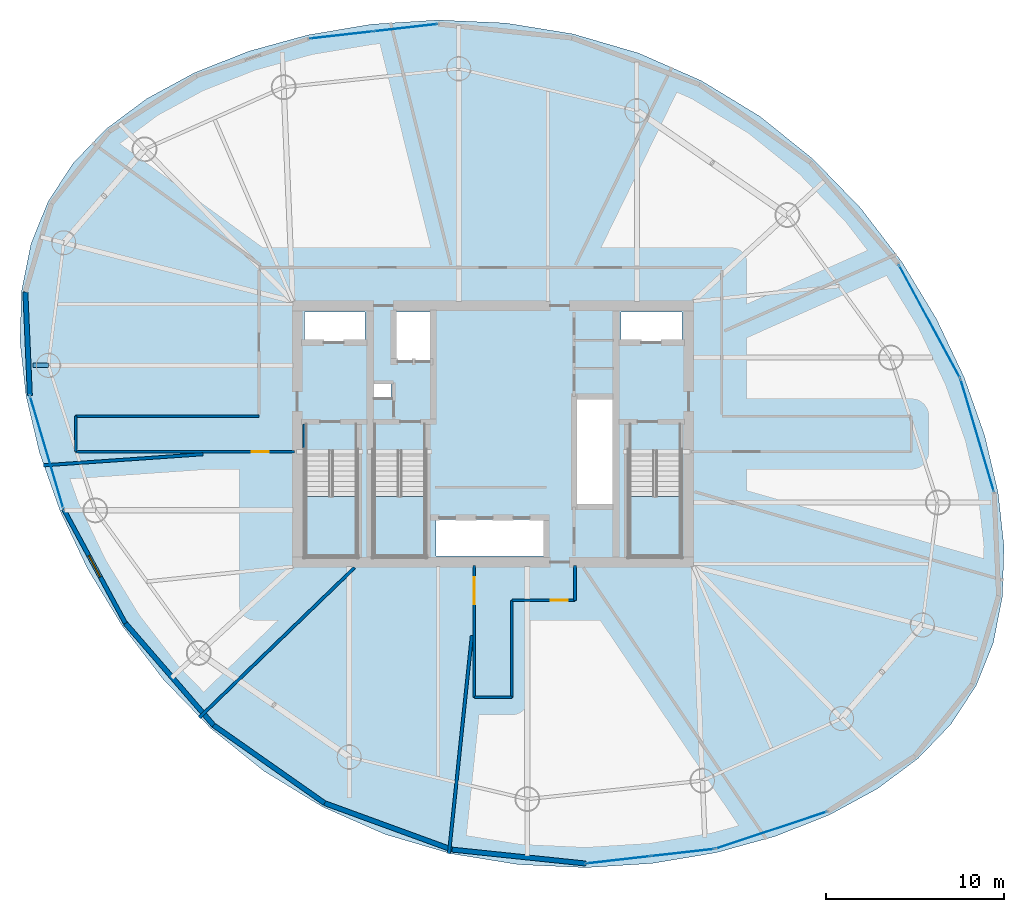
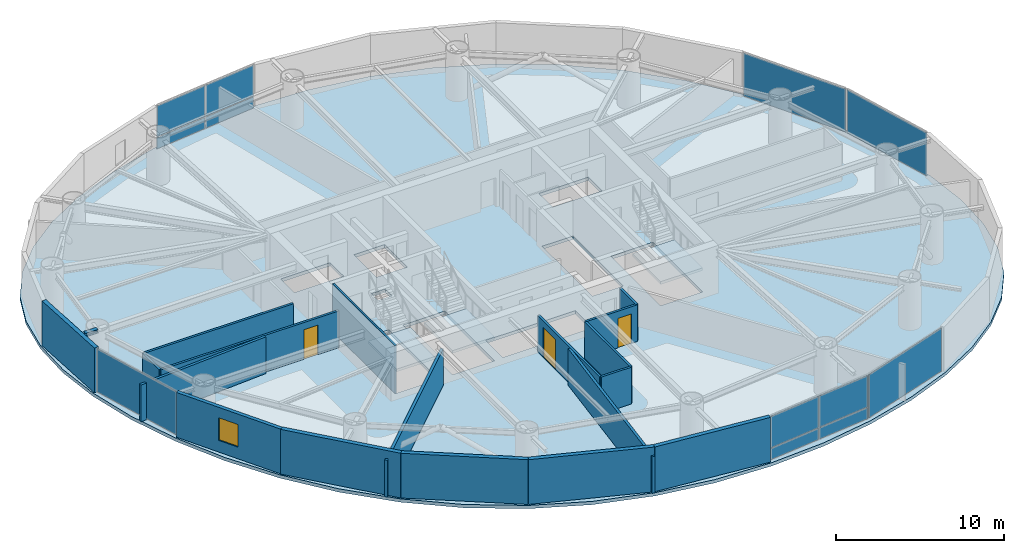
# One storey, part 16 of 22: 18 walls, 12 plates, 4 slabs, 3 doors, 1 beam, 1 window, 4 openings, 9 elements without a shape of their own.
"""IFC4 building model written with IfcOpenShell, lengths in metres."""

from ifc_helpers import new_model, si_unit, direction, frame, frame_2d, origin, origin_2d, place, context, subcontext, project, spatial, polyline, rectangle, i_section, outline, extrude, material, layer, layer_set, material_profile, profile_set, type_object, element, fill, aggregate, save


model = new_model("IFC4")

# Units and contexts
model_context = context("Model", 3, precision=1e-05, world=origin(), true_north=direction((0.0, 1.0)))
body_context = subcontext(model_context, "Body", "Model", "MODEL_VIEW")
ifc_project = project(units=[si_unit("LENGTHUNIT", "METRE"), si_unit("AREAUNIT", "SQUARE_METRE"), si_unit("VOLUMEUNIT", "CUBIC_METRE"), si_unit("PLANEANGLEUNIT", "RADIAN"), si_unit("MASSUNIT", "GRAM", prefix="KILO")], contexts=[model_context])

# Site, building, storey
site_placement = place(None, origin())
site = spatial("IfcSite", under=ifc_project, at=site_placement, CompositionType="ELEMENT")
building_placement = place(site_placement, origin())
building = spatial("IfcBuilding", under=site, at=building_placement, Name="Bramvorn Convention Spire", CompositionType="ELEMENT")
storey_placement = place(building_placement, frame((0.0, 0.0, 141.300048828125)))
storey = spatial("IfcBuildingStorey", under=building, at=storey_placement, Name="L35", CompositionType="ELEMENT", Elevation=141.300048828125)

# Beam
ifc_material_1 = material(Name="Steel CSA G40.21 Grade 350 (350W)", Category="steel")
ifc_material_profile = material_profile(ifc_material_1, i_section(OverallWidth=0.25390625, OverallDepth=0.2529296875, WebThickness=0.008544921875, FlangeThickness=0.01416015625, FilletRadius=0.011962890625, at=origin_2d()))
ifc_profile_set = profile_set([ifc_material_profile], Name="Steel CSA G40.21 Grade 350 (350W) - W250X73")
beam_type = type_object("IfcBeamType", Name="BM-W250X73", PredefinedType="BEAM", material=ifc_profile_set)
beam_placement = place(storey_placement, frame((13.016357421875, 29.851806640625, 3.133544921875), z_axis=(-1.0, 0.0, 0.0), x_axis=(0.0, -1.0, 0.0)))
element("IfcBeam", 1, at=beam_placement, inside=storey, type_object=beam_type, Name="L35 slab-edge cantilever tip beam MC10", PredefinedType="BEAM", context=body_context, shape_type="SweptSolid", body=[
    extrude(i_section(OverallWidth=0.25390625, OverallDepth=0.2529296875, WebThickness=0.008544921875, FlangeThickness=0.01416015625, FilletRadius=0.011962890625, at=origin_2d()), origin(), (0.0, 0.0, 1.0), 0.869384765625),
])

# Curtain wall, plate
ifc_material_2 = material(Name="Anodised Bronze Unitised Curtain Wall", Category="aluminium")
ifc_layer_1 = layer(ifc_material_2, 0.179931640625)
ifc_layer_set_1 = layer_set([ifc_layer_1], Name="Anodised Bronze Unitised Curtain Wall - CW-HTL-FRIT")
curtain_wall_type = type_object("IfcCurtainWallType", Name="CW-HTL-FRIT", PredefinedType="USERDEFINED", material=ifc_layer_set_1)
curtain_wall_1_placement = place(storey_placement, origin())
curtain_wall_1 = element("IfcCurtainWall", 2, at=curtain_wall_1_placement, inside=storey, type_object=curtain_wall_type, Name="L35 fritted glass curtain wall 03", ObjectType="UNITISED CURTAIN WALL", PredefinedType="USERDEFINED")
ifc_material_3 = material(Name="Laminated Low-E Glass (Triple IGU Tapered Ceramic Frit 40%)", Category="glass")
ifc_layer_2 = layer(ifc_material_3, 0.0380859375)
ifc_layer_set_2 = layer_set([ifc_layer_2], Name="Laminated Low-E Glass (Triple IGU Tapered Ceramic Frit 40%) - PNL-IGU-2")
plate_type = type_object("IfcPlateType", Name="PNL-IGU-2", PredefinedType="CURTAIN_PANEL", material=ifc_layer_set_2)
plate_1_placement = place(storey_placement, frame((65.200439453125, 25.922607421875, 0.06005859375), z_axis=(0.0, 0.0, 1.0), x_axis=(0.284632328166, -0.958636760073, 0.0)))
plate_1 = element("IfcPlate", 3, at=plate_1_placement, type_object=plate_type, Name="CW2 panel 1.1", PredefinedType="CURTAIN_PANEL", context=body_context, shape_type="SweptSolid", body=[
    extrude(rectangle(XDim=6.545166015625, YDim=0.028076171875, at=origin_2d()), origin(), (0.0, 0.0, 1.0), 3.139892578125),
])
aggregate(curtain_wall_1, [plate_1])

curtain_wall_2_placement = place(storey_placement, origin())
curtain_wall_2 = element("IfcCurtainWall", 4, at=curtain_wall_2_placement, inside=storey, type_object=curtain_wall_type, Name="L35 fritted glass curtain wall 04", ObjectType="UNITISED CURTAIN WALL", PredefinedType="USERDEFINED")
plate_2_placement = place(storey_placement, frame((62.516357421875, 32.323486328125, 0.06005859375), z_axis=(0.0, 0.0, 1.0), x_axis=(0.476002583579, -0.87944388134, 0.0)))
plate_2 = element("IfcPlate", 5, at=plate_2_placement, type_object=plate_type, Name="CW2 panel 1.1", PredefinedType="CURTAIN_PANEL", context=body_context, shape_type="SweptSolid", body=[
    extrude(rectangle(XDim=7.171875, YDim=0.028076171875, at=origin_2d()), origin(), (0.0, 0.0, 1.0), 3.139892578125),
])
aggregate(curtain_wall_2, [plate_2])

# Curtain wall, plates
curtain_wall_3_placement = place(storey_placement, origin())
curtain_wall_3 = element("IfcCurtainWall", 6, at=curtain_wall_3_placement, inside=storey, type_object=curtain_wall_type, Name="L35 fritted glass curtain wall 09", ObjectType="UNITISED CURTAIN WALL", PredefinedType="USERDEFINED")
plate_3_placement = place(storey_placement, frame((29.49072265625, 48.411376953125, 0.059814453125), z_axis=(0.0, 0.0, 1.0), x_axis=(0.993621085008, 0.112770294972, 0.0)))
plate_3 = element("IfcPlate", 7, at=plate_3_placement, type_object=plate_type, Name="CW2 panel 1.1", PredefinedType="CURTAIN_PANEL", context=body_context, shape_type="SweptSolid", body=[
    extrude(rectangle(XDim=3.555908203125, YDim=0.028076171875, at=origin_2d()), origin(), (0.0, 0.0, 1.0), 0.81005859375),
])
plate_4_placement = place(storey_placement, frame((29.49072265625, 48.411376953125, 0.929931640625), z_axis=(0.0, 0.0, 1.0), x_axis=(0.993621085008, 0.112770294972, 0.0)))
plate_4 = element("IfcPlate", 8, at=plate_4_placement, type_object=plate_type, Name="CW2 panel 1.2", PredefinedType="CURTAIN_PANEL", context=body_context, shape_type="SweptSolid", body=[
    extrude(rectangle(XDim=3.555908203125, YDim=0.028076171875, at=origin_2d()), origin(), (0.0, 0.0, 1.0), 2.27001953125),
])
plate_5_placement = place(storey_placement, frame((33.08349609375, 48.819091796875, 0.059814453125), z_axis=(0.0, 0.0, 1.0), x_axis=(0.993621085008, 0.112770294972, 0.0)))
plate_5 = element("IfcPlate", 9, at=plate_5_placement, type_object=plate_type, Name="CW2 panel 2.1", PredefinedType="CURTAIN_PANEL", context=body_context, shape_type="SweptSolid", body=[
    extrude(rectangle(XDim=3.555908203125, YDim=0.028076171875, at=origin_2d()), origin(), (0.0, 0.0, 1.0), 0.81005859375),
])
plate_6_placement = place(storey_placement, frame((33.08349609375, 48.819091796875, 0.929931640625), z_axis=(0.0, 0.0, 1.0), x_axis=(0.993621085008, 0.112770294972, 0.0)))
plate_6 = element("IfcPlate", 10, at=plate_6_placement, type_object=plate_type, Name="CW2 panel 2.2", PredefinedType="CURTAIN_PANEL", context=body_context, shape_type="SweptSolid", body=[
    extrude(rectangle(XDim=3.555908203125, YDim=0.028076171875, at=origin_2d()), origin(), (0.0, 0.0, 1.0), 2.27001953125),
])
aggregate(curtain_wall_3, [plate_3, plate_4, plate_5, plate_6])

# Curtain wall, plate
curtain_wall_4_placement = place(storey_placement, origin())
curtain_wall_4 = element("IfcCurtainWall", 11, at=curtain_wall_4_placement, inside=storey, type_object=curtain_wall_type, Name="L35 fritted glass curtain wall 15", ObjectType="UNITISED CURTAIN WALL", PredefinedType="USERDEFINED")
plate_7_placement = place(storey_placement, frame((12.92724609375, 24.967529296875, 0.06005859375), z_axis=(0.0, 0.0, 1.0), x_axis=(-0.284632328166, 0.958636760073, 0.0)))
plate_7 = element("IfcPlate", 12, at=plate_7_placement, type_object=plate_type, Name="CW2 panel 1.1", PredefinedType="CURTAIN_PANEL", context=body_context, shape_type="SweptSolid", body=[
    extrude(rectangle(XDim=6.545166015625, YDim=0.028076171875, at=origin_2d()), origin(), (0.0, 0.0, 1.0), 3.139892578125),
])
aggregate(curtain_wall_4, [plate_7])

# Curtain wall, plates
curtain_wall_5_placement = place(storey_placement, origin())
curtain_wall_5 = element("IfcCurtainWall", 13, at=curtain_wall_5_placement, inside=storey, type_object=curtain_wall_type, Name="L35 fritted glass curtain wall 21", ObjectType="UNITISED CURTAIN WALL", PredefinedType="USERDEFINED")
plate_8_placement = place(storey_placement, frame((48.63720703125, 2.478759765625, 0.059814453125), z_axis=(0.0, 0.0, 1.0), x_axis=(-0.993619548249, -0.112783834557, 0.0)))
plate_8 = element("IfcPlate", 14, at=plate_8_placement, type_object=plate_type, Name="CW2 panel 1.1", PredefinedType="CURTAIN_PANEL", context=body_context, shape_type="SweptSolid", body=[
    extrude(rectangle(XDim=3.555908203125, YDim=0.028076171875, at=origin_2d()), origin(), (0.0, 0.0, 1.0), 0.81005859375),
])
plate_9_placement = place(storey_placement, frame((48.63720703125, 2.478759765625, 0.929931640625), z_axis=(0.0, 0.0, 1.0), x_axis=(-0.993619548249, -0.112783834557, 0.0)))
plate_9 = element("IfcPlate", 15, at=plate_9_placement, type_object=plate_type, Name="CW2 panel 1.2", PredefinedType="CURTAIN_PANEL", context=body_context, shape_type="SweptSolid", body=[
    extrude(rectangle(XDim=3.555908203125, YDim=0.028076171875, at=origin_2d()), origin(), (0.0, 0.0, 1.0), 2.27001953125),
])
plate_10_placement = place(storey_placement, frame((45.04443359375, 2.07080078125, 0.059814453125), z_axis=(0.0, 0.0, 1.0), x_axis=(-0.993619548249, -0.112783834557, 0.0)))
plate_10 = element("IfcPlate", 16, at=plate_10_placement, type_object=plate_type, Name="CW2 panel 2.1", PredefinedType="CURTAIN_PANEL", context=body_context, shape_type="SweptSolid", body=[
    extrude(rectangle(XDim=3.555908203125, YDim=0.028076171875, at=origin_2d()), origin(), (0.0, 0.0, 1.0), 0.81005859375),
])
plate_11_placement = place(storey_placement, frame((45.04443359375, 2.07080078125, 0.929931640625), z_axis=(0.0, 0.0, 1.0), x_axis=(-0.993619548249, -0.112783834557, 0.0)))
plate_11 = element("IfcPlate", 17, at=plate_11_placement, type_object=plate_type, Name="CW2 panel 2.2", PredefinedType="CURTAIN_PANEL", context=body_context, shape_type="SweptSolid", body=[
    extrude(rectangle(XDim=3.555908203125, YDim=0.028076171875, at=origin_2d()), origin(), (0.0, 0.0, 1.0), 2.27001953125),
])
aggregate(curtain_wall_5, [plate_8, plate_9, plate_10, plate_11])

# Curtain wall, plate
curtain_wall_6_placement = place(storey_placement, origin())
curtain_wall_6 = element("IfcCurtainWall", 18, at=curtain_wall_6_placement, inside=storey, type_object=curtain_wall_type, Name="L35 fritted glass curtain wall 22", ObjectType="UNITISED CURTAIN WALL", PredefinedType="USERDEFINED")
plate_12_placement = place(storey_placement, frame((53.626220703125, 3.73583984375, 0.06005859375), z_axis=(0.0, 0.0, 1.0), x_axis=(-0.949081637836, -0.315030228269, 0.0)))
plate_12 = element("IfcPlate", 19, at=plate_12_placement, type_object=plate_type, Name="CW2 panel 1.1", PredefinedType="CURTAIN_PANEL", context=body_context, shape_type="SweptSolid", body=[
    extrude(rectangle(XDim=6.545166015625, YDim=0.028076171875, at=origin_2d()), origin(), (0.0, 0.0, 1.0), 3.139892578125),
])
aggregate(curtain_wall_6, [plate_12])

# Stair, slab
ifc_material_4 = material(Name="Concrete C40/50 Precast Stair", Category="concrete")
stair_type = type_object("IfcStairType", Name="ST-TOWER-1550", PredefinedType="HALF_TURN_STAIR", material=ifc_material_4)
stair_1_placement = place(storey_placement, origin())
stair_1 = element("IfcStair", 20, at=stair_1_placement, inside=storey, type_object=stair_type, Name="L35 Protected Exit Stair ST1", PredefinedType="HALF_TURN_STAIR")
ifc_material_5 = material(Name="Concrete C40/50 Stair Landing", Category="concrete")
ifc_layer_3 = layer(ifc_material_5, 0.219970703125)
ifc_layer_set_3 = layer_set([ifc_layer_3], Name="Concrete C40/50 Stair Landing - SLB-STAIR-LANDING")
slab_type_1 = type_object("IfcSlabType", Name="SLB-STAIR-LANDING", PredefinedType="LANDING", material=ifc_layer_set_3)
slab_1_placement = place(storey_placement, frame((0.0, 0.0, 1.550048828125)))
slab_1 = element("IfcSlab", 21, at=slab_1_placement, type_object=slab_type_1, Name="ST1 landing 1", PredefinedType="LANDING", context=body_context, shape_type="SweptSolid", body=[
    extrude(outline(polyline([(27.449951171875, 22.485107421875), (27.449951171875, 19.10009765625), (30.35009765625, 19.10009765625), (30.35009765625, 22.485107421875), (27.449951171875, 22.485107421875)])), origin(), (0.0, 0.0, 1.0), 0.199951171875),
])
aggregate(stair_1, [slab_1])

stair_2_placement = place(storey_placement, origin())
stair_2 = element("IfcStair", 22, at=stair_2_placement, inside=storey, type_object=stair_type, Name="L35 Protected Exit Stair ST2", PredefinedType="HALF_TURN_STAIR")
slab_2_placement = place(storey_placement, frame((0.0, 0.0, 1.550048828125)))
slab_2 = element("IfcSlab", 23, at=slab_2_placement, type_object=slab_type_1, Name="ST2 landing 1", PredefinedType="LANDING", context=body_context, shape_type="SweptSolid", body=[
    extrude(outline(polyline([(45.64990234375, 22.485107421875), (45.64990234375, 19.10009765625), (48.550048828125, 19.10009765625), (48.550048828125, 22.485107421875), (45.64990234375, 22.485107421875)])), origin(), (0.0, 0.0, 1.0), 0.199951171875),
])
aggregate(stair_2, [slab_2])

stair_3_placement = place(storey_placement, origin())
stair_3 = element("IfcStair", 24, at=stair_3_placement, inside=storey, type_object=stair_type, Name="L35 Protected Exit Stair ST3", PredefinedType="HALF_TURN_STAIR")
slab_3_placement = place(storey_placement, frame((0.0, 0.0, 1.550048828125)))
slab_3 = element("IfcSlab", 25, at=slab_3_placement, type_object=slab_type_1, Name="ST3 landing 1", PredefinedType="LANDING", context=body_context, shape_type="SweptSolid", body=[
    extrude(outline(polyline([(31.300048828125, 22.485107421875), (31.300048828125, 19.10009765625), (34.199951171875, 19.10009765625), (34.199951171875, 22.485107421875), (31.300048828125, 22.485107421875)])), origin(), (0.0, 0.0, 1.0), 0.199951171875),
])
aggregate(stair_3, [slab_3])

# Slab
ifc_material_6 = material(Name="Concrete C50/60", Category="concrete")
ifc_layer_4 = layer(ifc_material_6, 0.239990234375)
ifc_layer_set_4 = layer_set([ifc_layer_4], Name="Concrete C50/60 - SLB-Z2-240")
slab_type_2 = type_object("IfcSlabType", Name="SLB-Z2-240", PredefinedType="FLOOR", material=ifc_layer_set_4)
slab_4_placement = place(storey_placement, frame((0.0, 0.0, -0.239990234375)))
element("IfcSlab", 26, at=slab_4_placement, inside=storey, type_object=slab_type_2, Name="L35 tower floor slab", PredefinedType="FLOOR", context=body_context, shape_type="SweptSolid", body=[
    extrude(outline(polyline([(65.130126953125, 11.8466796875), (66.09375, 14.237548828125), (66.615234375, 16.859375), (66.702880859375, 19.699951171875), (66.36669921875, 22.7333984375), (65.616943359375, 25.9150390625), (64.4619140625, 29.18310546875), (62.909912109375, 32.45947265625), (60.97021484375, 35.65478515625), (58.65576171875, 38.67529296875), (55.985595703125, 41.4306640625), (52.988525390625, 43.840087890625), (49.703857421875, 45.840576171875), (46.183837890625, 47.389892578125), (42.492919921875, 48.469482421875), (38.70556640625, 49.0830078125), (34.90380859375, 49.2529296875), (31.173583984375, 49.015380859375), (27.598388671875, 48.413818359375), (24.25732421875, 47.491455078125), (21.21875, 46.285888671875), (18.538818359375, 44.826171875), (16.259033203125, 43.12890625), (14.4072265625, 41.201416015625), (12.997802734375, 39.043212890625), (12.0341796875, 36.65234375), (11.5126953125, 34.03076171875), (11.425048828125, 31.18994140625), (11.760986328125, 28.15673828125), (12.510986328125, 24.974853515625), (13.666015625, 21.706787109375), (15.218017578125, 18.430419921875), (17.15771484375, 15.235107421875), (19.47216796875, 12.214599609375), (22.14208984375, 9.45947265625), (25.139404296875, 7.0498046875), (28.424072265625, 5.049560546875), (31.944091796875, 3.5), (35.635009765625, 2.42041015625), (39.42236328125, 1.806884765625), (43.223876953125, 1.636962890625), (46.954345703125, 1.87451171875), (50.529296875, 2.47607421875), (53.87060546875, 3.398681640625), (56.9091796875, 4.60400390625), (59.589111328125, 6.063720703125), (61.868896484375, 7.760986328125), (63.720703125, 9.688720703125), (65.130126953125, 11.8466796875)]), holes=[polyline([(27.449951171875, 25.050048828125), (27.449951171875, 19.10009765625), (30.35009765625, 19.10009765625), (30.35009765625, 25.050048828125), (27.449951171875, 25.050048828125)]), polyline([(45.64990234375, 25.050048828125), (45.64990234375, 19.10009765625), (48.550048828125, 19.10009765625), (48.550048828125, 25.050048828125), (45.64990234375, 25.050048828125)]), polyline([(31.300048828125, 25.050048828125), (31.300048828125, 19.10009765625), (34.199951171875, 19.10009765625), (34.199951171875, 25.050048828125), (31.300048828125, 25.050048828125)]), polyline([(27.39990234375, 31.219970703125), (30.800048828125, 31.219970703125), (30.800048828125, 32.85009765625), (27.39990234375, 32.85009765625), (27.39990234375, 31.219970703125)]), polyline([(45.199951171875, 31.219970703125), (48.60009765625, 31.219970703125), (48.60009765625, 32.85009765625), (45.199951171875, 32.85009765625), (45.199951171875, 31.219970703125)]), polyline([(32.449951171875, 30.14990234375), (34.56005859375, 30.14990234375), (34.56005859375, 32.85009765625), (32.449951171875, 32.85009765625), (32.449951171875, 30.14990234375)]), polyline([(34.800048828125, 19.14990234375), (40.97998046875, 19.14990234375), (40.97998046875, 21.199951171875), (34.800048828125, 21.199951171875), (34.800048828125, 19.14990234375)]), polyline([(42.6201171875, 22.0), (44.75, 22.0), (44.75, 28.0), (42.6201171875, 28.0), (42.6201171875, 22.0)]), polyline([(31.320068359375, 28.02001953125), (32.280029296875, 28.02001953125), (32.280029296875, 28.820068359375), (31.320068359375, 28.820068359375), (31.320068359375, 28.02001953125)])]), origin(), (0.0, 0.0, 1.0), 0.239990234375),
])

# Wall
ifc_material_7 = material(Name="Precast Concrete C40/50 with Bronze Terracotta Rainscreen", Category="masonry")
ifc_layer_5 = layer(ifc_material_7, 0.300048828125)
ifc_layer_set_5 = layer_set([ifc_layer_5], Name="Precast Concrete C40/50 with Bronze Terracotta Rainscreen - WL-EXT-BRONZE-300")
wall_type_1 = type_object("IfcWallType", Name="WL-EXT-BRONZE-300", PredefinedType="SOLIDWALL", material=ifc_layer_set_5)
wall_1_placement = place(storey_placement, frame((11.978759765625, 28.162109375, 0.0), z_axis=(0.0, 0.0, 1.0), x_axis=(-0.043479072876, 0.999054337973, 0.0)))
element("IfcWall", 27, at=wall_1_placement, inside=storey, type_object=wall_type_1, Name="L35 expressed bronze Gothic lancet pier wall 14", PredefinedType="SOLIDWALL", context=body_context, shape_type="SweptSolid", body=[
    extrude(rectangle(XDim=5.822998046875, YDim=0.280029296875, at=frame_2d((2.91162109375, 0.0))), origin(), (0.0, 0.0, 1.0), 3.260009765625),
])

# Wall, opening, window
wall_2_placement = place(storey_placement, frame((17.346923828125, 15.360107421875, 0.0), z_axis=(0.0, 0.0, 1.0), x_axis=(-0.476013472522, 0.879437987568, 0.0)))
wall_2 = element("IfcWall", 28, at=wall_2_placement, inside=storey, type_object=wall_type_1, Name="L35 bronze ceramic-frit spandrel & operable window bay 16", PredefinedType="SOLIDWALL", context=body_context, shape_type="SweptSolid", body=[
    extrude(rectangle(XDim=7.291748046875, YDim=0.239990234375, at=frame_2d((3.64599609375, 0.0))), origin(), (0.0, 0.0, 1.0), 3.260009765625),
])
opening_1_placement = place(wall_2_placement, frame((2.970947265625, 0.0, 0.85009765625)))
opening_1 = element("IfcOpeningElement", 29, at=opening_1_placement, cuts=wall_2, Name="Opening WN07", PredefinedType="OPENING", context=body_context, shape_type="SweptSolid", body=[
    extrude(rectangle(XDim=1.35009765625, YDim=1.64990234375, at=frame_2d((0.675048828125, 0.824951171875))), frame((0.0, 0.1298828125, 0.0), z_axis=(0.0, -1.0, 0.0), x_axis=(1.0, 0.0, 0.0)), (0.0, 0.0, 1.0), 0.260009765625),
])
ifc_material_8 = material(Name="Thermally Broken Bronze Aluminium & Triple Low-E Glass", Category="aluminium")
window_type = type_object("IfcWindowType", Name="WN-OP-1350X1650", PartitioningType="SINGLE_PANEL", PredefinedType="WINDOW", material=ifc_material_8)
window_placement = place(opening_1_placement, origin())
window = element("IfcWindow", 30, at=window_placement, inside=storey, type_object=window_type, Name="L35 operable parallel-vent window 16", OverallHeight=1.64990234375, OverallWidth=1.35009765625, PartitioningType="SINGLE_PANEL", PredefinedType="WINDOW", context=body_context, shape_type="SweptSolid", body=[
    extrude(rectangle(XDim=1.35009765625, YDim=1.64990234375, at=frame_2d((0.675048828125, 0.824951171875))), frame((0.0, 0.030029296875, 0.0), z_axis=(0.0, -1.0, 0.0), x_axis=(1.0, 0.0, 0.0)), (0.0, 0.0, 1.0), 0.06005859375),
])
fill(opening_1, window)

# Walls
wall_3_placement = place(storey_placement, frame((22.297607421875, 9.634521484375, 0.0), z_axis=(0.0, 0.0, 1.0), x_axis=(-0.654063156919, 0.756439942601, 0.0)))
element("IfcWall", 31, at=wall_3_placement, inside=storey, type_object=wall_type_1, Name="L35 expressed bronze Gothic lancet pier wall 17", PredefinedType="SOLIDWALL", context=body_context, shape_type="SweptSolid", body=[
    extrude(rectangle(XDim=7.569091796875, YDim=0.280029296875, at=frame_2d((3.78466796875, 0.0))), origin(), (0.0, 0.0, 1.0), 3.260009765625),
])
wall_4_placement = place(storey_placement, frame((28.533935546875, 5.260009765625, 0.0), z_axis=(0.0, 0.0, 1.0), x_axis=(-0.818671417034, 0.574262231852, 0.0)))
element("IfcWall", 32, at=wall_4_placement, inside=storey, type_object=wall_type_1, Name="L35 expressed bronze Gothic lancet pier wall 18", PredefinedType="SOLIDWALL", context=body_context, shape_type="SweptSolid", body=[
    extrude(rectangle(XDim=7.61767578125, YDim=0.280029296875, at=frame_2d((3.808837890625, 0.0))), origin(), (0.0, 0.0, 1.0), 3.260009765625),
])
wall_5_placement = place(storey_placement, frame((35.689697265625, 2.648193359375, 0.0), z_axis=(0.0, 0.0, 1.0), x_axis=(-0.939382883035, 0.342869944821, 0.0)))
element("IfcWall", 33, at=wall_5_placement, inside=storey, type_object=wall_type_1, Name="L35 expressed bronze Gothic lancet pier wall 19", PredefinedType="SOLIDWALL", context=body_context, shape_type="SweptSolid", body=[
    extrude(rectangle(XDim=7.617431640625, YDim=0.280029296875, at=frame_2d((3.80859375, 0.0))), origin(), (0.0, 0.0, 1.0), 3.260009765625),
])
wall_6_placement = place(storey_placement, frame((43.218017578125, 1.863525390625, 0.0), z_axis=(0.0, 0.0, 1.0), x_axis=(-0.994612036357, 0.103667242342, 0.0)))
element("IfcWall", 34, at=wall_6_placement, inside=storey, type_object=wall_type_1, Name="L35 expressed bronze Gothic lancet pier wall 20", PredefinedType="SOLIDWALL", context=body_context, shape_type="SweptSolid", body=[
    extrude(rectangle(XDim=7.569091796875, YDim=0.280029296875, at=frame_2d((3.78466796875, 0.0))), origin(), (0.0, 0.0, 1.0), 3.260009765625),
])
ifc_material_9 = material(Name="Acoustic Metal-Stud Tenant/Corridor Partition", Category="gypsum")
ifc_layer_6 = layer(ifc_material_9, 0.14990234375)
ifc_layer_set_6 = layer_set([ifc_layer_6], Name="Acoustic Metal-Stud Tenant/Corridor Partition - WL-PART-150")
wall_type_2 = type_object("IfcWallType", Name="WL-PART-150", PredefinedType="PARTITIONING", material=ifc_layer_set_6)
wall_7_placement = place(storey_placement, frame((14.555908203125, 27.0, 0.0), z_axis=(0.0, 0.0, 1.0), x_axis=(1.0, 0.0, 0.0)))
element("IfcWall", 35, at=wall_7_placement, inside=storey, type_object=wall_type_2, Name="L35 West wing spine north wall", PredefinedType="PARTITIONING", context=body_context, shape_type="SweptSolid", body=[
    extrude(rectangle(XDim=10.294189453125, YDim=0.14990234375, at=frame_2d((5.14697265625, 0.0))), origin(), (0.0, 0.0, 1.0), 2.675048828125),
])

# Wall, opening, door
wall_8_placement = place(storey_placement, frame((14.555908203125, 25.0, 0.0), z_axis=(0.0, 0.0, 1.0), x_axis=(1.0, 0.0, 0.0)))
wall_8 = element("IfcWall", 36, at=wall_8_placement, inside=storey, type_object=wall_type_2, Name="L35 West wing spine south wall", PredefinedType="PARTITIONING", context=body_context, shape_type="SweptSolid", body=[
    extrude(rectangle(XDim=12.294189453125, YDim=0.14990234375, at=frame_2d((6.14697265625, 0.0))), origin(), (0.0, 0.0, 1.0), 2.675048828125),
])
opening_2_placement = place(wall_8_placement, frame((9.884765625, 0.0, 0.0)))
opening_2 = element("IfcOpeningElement", 37, at=opening_2_placement, cuts=wall_8, Name="Opening DH-095", PredefinedType="OPENING", context=body_context, shape_type="SweptSolid", body=[
    extrude(rectangle(XDim=0.949951171875, YDim=2.14990234375, at=frame_2d((0.47509765625, 1.074951171875))), frame((0.0, 0.0849609375, 0.0), z_axis=(0.0, -1.0, 0.0), x_axis=(1.0, 0.0, 0.0)), (0.0, 0.0, 1.0), 0.169921875),
])
ifc_material_10 = material(Name="Solid-Core Acoustic Guestroom Entry Door", Category="wood")
door_type_1 = type_object("IfcDoorType", Name="DR-HOTEL-950", OperationType="NOTDEFINED", PredefinedType="DOOR", material=ifc_material_10)
door_1_placement = place(opening_2_placement, origin())
door_1 = element("IfcDoor", 38, at=door_1_placement, inside=storey, type_object=door_type_1, Name="L35 Managing Director Office 5 door", OperationType="SINGLE_SWING_LEFT", OverallHeight=2.14990234375, OverallWidth=0.949951171875, PredefinedType="DOOR", context=body_context, shape_type="SweptSolid", body=[
    extrude(rectangle(XDim=0.949951171875, YDim=2.14990234375, at=frame_2d((0.47509765625, 1.074951171875))), frame((0.0, 0.02490234375, 0.0), z_axis=(0.0, -1.0, 0.0), x_axis=(1.0, 0.0, 0.0)), (0.0, 0.0, 1.0), 0.050048828125),
])
fill(opening_2, door_1)

# Wall
wall_9_placement = place(storey_placement, frame((14.555908203125, 25.0, 0.0), z_axis=(0.0, 0.0, 1.0), x_axis=(0.0, 1.0, 0.0)))
element("IfcWall", 39, at=wall_9_placement, inside=storey, type_object=wall_type_2, Name="L35 West wing spine end wall", PredefinedType="PARTITIONING", context=body_context, shape_type="SweptSolid", body=[
    extrude(rectangle(XDim=2.0, YDim=0.14990234375, at=frame_2d((1.0, 0.0))), origin(), (0.0, 0.0, 1.0), 2.675048828125),
])

# Wall, opening, door
wall_10_placement = place(storey_placement, frame((36.949951171875, 11.199951171875, 0.0), z_axis=(0.0, 0.0, 1.0), x_axis=(0.0, 1.0, 0.0)))
wall_10 = element("IfcWall", 40, at=wall_10_placement, inside=storey, type_object=wall_type_2, Name="L35 South axial spine west wall", PredefinedType="PARTITIONING", context=body_context, shape_type="SweptSolid", body=[
    extrude(rectangle(XDim=7.400146484375, YDim=0.14990234375, at=frame_2d((3.7001953125, 0.0))), origin(), (0.0, 0.0, 1.0), 2.675048828125),
])
opening_3_placement = place(wall_10_placement, frame((5.237060546875, 0.0, 0.0)))
opening_3 = element("IfcOpeningElement", 41, at=opening_3_placement, cuts=wall_10, Name="Opening DC-150", PredefinedType="OPENING", context=body_context, shape_type="SweptSolid", body=[
    extrude(rectangle(XDim=1.5, YDim=2.199951171875, at=frame_2d((0.75, 1.10009765625))), frame((0.0, 0.0849609375, 0.0), z_axis=(0.0, -1.0, 0.0), x_axis=(1.0, 0.0, 0.0)), (0.0, 0.0, 1.0), 0.169921875),
])
ifc_material_11 = material(Name="Double-Leaf Smoke-Control Corridor Door", Category="wood")
door_type_2 = type_object("IfcDoorType", Name="DR-COR-1500", OperationType="NOTDEFINED", PredefinedType="DOOR", material=ifc_material_11)
door_2_placement = place(opening_3_placement, origin())
door_2 = element("IfcDoor", 42, at=door_2_placement, inside=storey, type_object=door_type_2, Name="L35 Reception Gallery 6 door", OperationType="DOUBLE_DOOR_SINGLE_SWING", OverallHeight=2.199951171875, OverallWidth=1.5, PredefinedType="DOOR", context=body_context, shape_type="SweptSolid", body=[
    extrude(rectangle(XDim=1.5, YDim=2.199951171875, at=frame_2d((0.75, 1.10009765625))), frame((0.0, 0.02490234375, 0.0), z_axis=(0.0, -1.0, 0.0), x_axis=(1.0, 0.0, 0.0)), (0.0, 0.0, 1.0), 0.050048828125),
])
fill(opening_3, door_2)

# Wall
wall_11_placement = place(storey_placement, frame((39.050048828125, 11.199951171875, 0.0), z_axis=(0.0, 0.0, 1.0), x_axis=(0.0, 1.0, 0.0)))
element("IfcWall", 43, at=wall_11_placement, inside=storey, type_object=wall_type_2, Name="L35 South axial spine east wall", PredefinedType="PARTITIONING", context=body_context, shape_type="SweptSolid", body=[
    extrude(rectangle(XDim=5.449951171875, YDim=0.14990234375, at=frame_2d((2.72509765625, 0.0))), origin(), (0.0, 0.0, 1.0), 2.675048828125),
])

# Wall, opening, door
wall_12_placement = place(storey_placement, frame((39.050048828125, 16.64990234375, 0.0), z_axis=(0.0, 0.0, 1.0), x_axis=(1.0, 0.0, 0.0)))
wall_12 = element("IfcWall", 44, at=wall_12_placement, inside=storey, type_object=wall_type_2, Name="L35 South lift lobby link wall", PredefinedType="PARTITIONING", context=body_context, shape_type="SweptSolid", body=[
    extrude(rectangle(XDim=3.550048828125, YDim=0.14990234375, at=frame_2d((1.77490234375, 0.0))), origin(), (0.0, 0.0, 1.0), 2.675048828125),
])
opening_4_placement = place(wall_12_placement, frame((2.1875, 0.0, 0.0)))
opening_4 = element("IfcOpeningElement", 45, at=opening_4_placement, cuts=wall_12, Name="Opening DH-095", PredefinedType="OPENING", context=body_context, shape_type="SweptSolid", body=[
    extrude(rectangle(XDim=0.949951171875, YDim=2.14990234375, at=frame_2d((0.47509765625, 1.074951171875))), frame((0.0, 0.0849609375, 0.0), z_axis=(0.0, -1.0, 0.0), x_axis=(1.0, 0.0, 0.0)), (0.0, 0.0, 1.0), 0.169921875),
])
door_3_placement = place(opening_4_placement, origin())
door_3 = element("IfcDoor", 46, at=door_3_placement, inside=storey, type_object=door_type_1, Name="L35 Executive Strategy Suite 7 door", OperationType="SINGLE_SWING_RIGHT", OverallHeight=2.14990234375, OverallWidth=0.949951171875, PredefinedType="DOOR", context=body_context, shape_type="SweptSolid", body=[
    extrude(rectangle(XDim=0.949951171875, YDim=2.14990234375, at=frame_2d((0.47509765625, 1.074951171875))), frame((0.0, 0.02490234375, 0.0), z_axis=(0.0, -1.0, 0.0), x_axis=(1.0, 0.0, 0.0)), (0.0, 0.0, 1.0), 0.050048828125),
])
fill(opening_4, door_3)

# Walls
wall_13_placement = place(storey_placement, frame((42.60009765625, 16.64990234375, 0.0), z_axis=(0.0, 0.0, 1.0), x_axis=(0.0, 1.0, 0.0)))
element("IfcWall", 47, at=wall_13_placement, inside=storey, type_object=wall_type_2, Name="L35 South lift lobby east cheek", PredefinedType="PARTITIONING", context=body_context, shape_type="SweptSolid", body=[
    extrude(rectangle(XDim=1.9501953125, YDim=0.14990234375, at=frame_2d((0.97509765625, 0.0))), origin(), (0.0, 0.0, 1.0), 2.675048828125),
])
wall_14_placement = place(storey_placement, frame((36.949951171875, 11.199951171875, 0.0), z_axis=(0.0, 0.0, 1.0), x_axis=(1.0, 0.0, 0.0)))
element("IfcWall", 48, at=wall_14_placement, inside=storey, type_object=wall_type_2, Name="L35 South axial spine end wall", PredefinedType="PARTITIONING", context=body_context, shape_type="SweptSolid", body=[
    extrude(rectangle(XDim=2.10009765625, YDim=0.14990234375, at=frame_2d((1.050048828125, 0.0))), origin(), (0.0, 0.0, 1.0), 2.675048828125),
])
ifc_material_12 = material(Name="Double-Stud Acoustic Hotel/Suite Partition", Category="gypsum")
ifc_layer_7 = layer(ifc_material_12, 0.175048828125)
ifc_layer_set_7 = layer_set([ifc_layer_7], Name="Double-Stud Acoustic Hotel/Suite Partition - WL-PART-175")
wall_type_3 = type_object("IfcWallType", Name="WL-PART-175", PredefinedType="PARTITIONING", material=ifc_layer_set_7)
wall_15_placement = place(storey_placement, frame((21.697265625, 24.860107421875, 0.0), z_axis=(0.0, 0.0, 1.0), x_axis=(-0.997564154938, -0.069754976757, 0.0)))
element("IfcWall", 49, at=wall_15_placement, inside=storey, type_object=wall_type_3, Name="L35 Tenant suite partition 5", PredefinedType="PARTITIONING", context=body_context, shape_type="SweptSolid", body=[
    extrude(rectangle(XDim=8.9775390625, YDim=0.175048828125, at=frame_2d((4.48876953125, 0.0))), origin(), (0.0, 0.0, 1.0), 2.675048828125),
])
wall_16_placement = place(storey_placement, frame((30.212890625, 18.47998046875, 0.0), z_axis=(0.0, 0.0, 1.0), x_axis=(-0.719342032924, -0.694656058542, 0.0)))
element("IfcWall", 50, at=wall_16_placement, inside=storey, type_object=wall_type_3, Name="L35 Tenant suite partition 6", PredefinedType="PARTITIONING", context=body_context, shape_type="SweptSolid", body=[
    extrude(rectangle(XDim=12.105224609375, YDim=0.175048828125, at=frame_2d((6.052734375, 0.0))), origin(), (0.0, 0.0, 1.0), 2.675048828125),
])
wall_17_placement = place(storey_placement, frame((36.81005859375, 14.677978515625, 0.0), z_axis=(0.0, 0.0, 1.0), x_axis=(-0.104529083551, -0.994521830174, 0.0)))
element("IfcWall", 51, at=wall_17_placement, inside=storey, type_object=wall_type_3, Name="L35 Tenant suite partition 7", PredefinedType="PARTITIONING", context=body_context, shape_type="SweptSolid", body=[
    extrude(rectangle(XDim=12.3251953125, YDim=0.175048828125, at=frame_2d((6.16259765625, 0.0))), origin(), (0.0, 0.0, 1.0), 2.675048828125),
])
ifc_layer_8 = layer(ifc_material_6, 0.1201171875)
ifc_layer_set_8 = layer_set([ifc_layer_8], Name="Concrete C50/60 - WL-STAIR-RC-120")
wall_type_4 = type_object("IfcWallType", Name="WL-STAIR-RC-120", PredefinedType="SHEAR", material=ifc_layer_set_8)
wall_18_placement = place(storey_placement, frame((27.39501953125, 19.10009765625, 0.0), z_axis=(0.0, 0.0, 1.0), x_axis=(0.0, 1.0, 0.0)))
element("IfcWall", 52, at=wall_18_placement, inside=storey, type_object=wall_type_4, Name="L35 ST1 west bearing shear wall", PredefinedType="SHEAR", context=body_context, shape_type="SweptSolid", body=[
    extrude(rectangle(XDim=7.449951171875, YDim=0.1201171875, at=frame_2d((3.72509765625, 0.0))), origin(), (0.0, 0.0, 1.0), 3.5),
])

save(model, "model.ifc")
